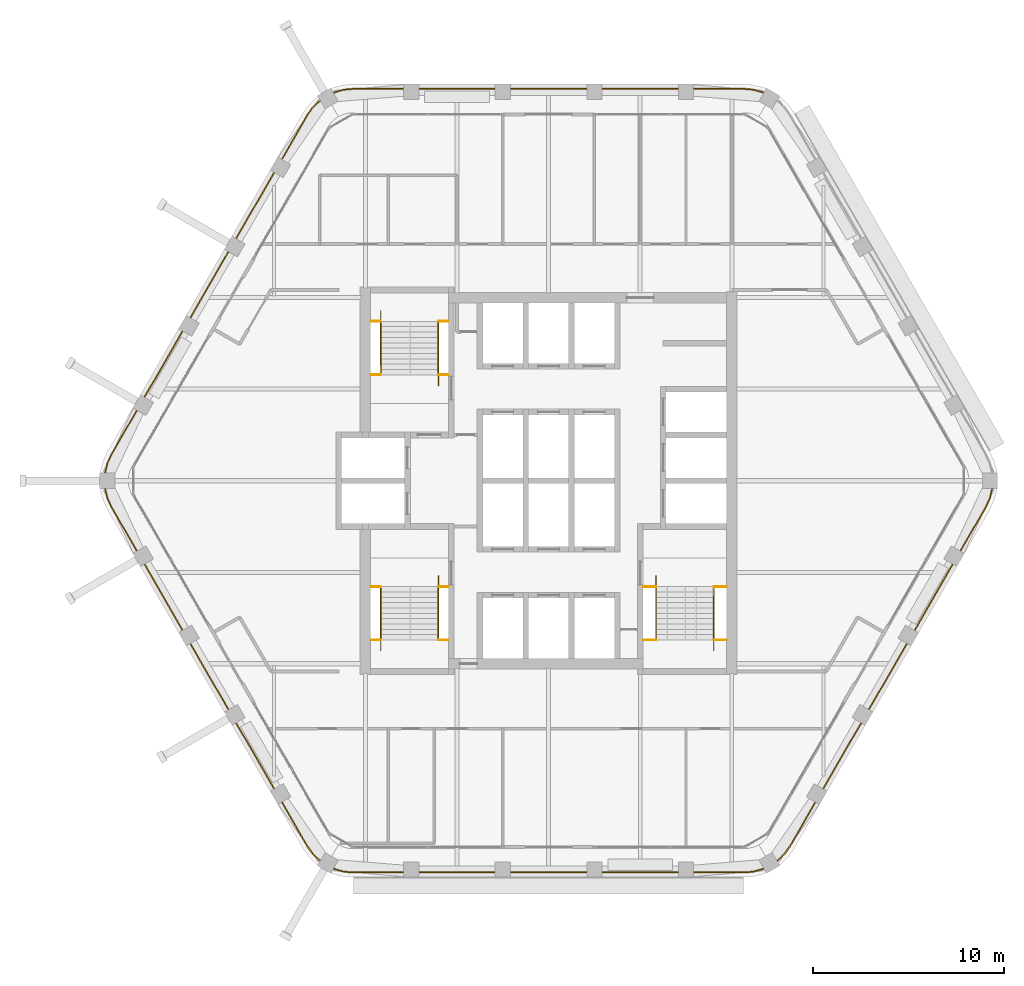
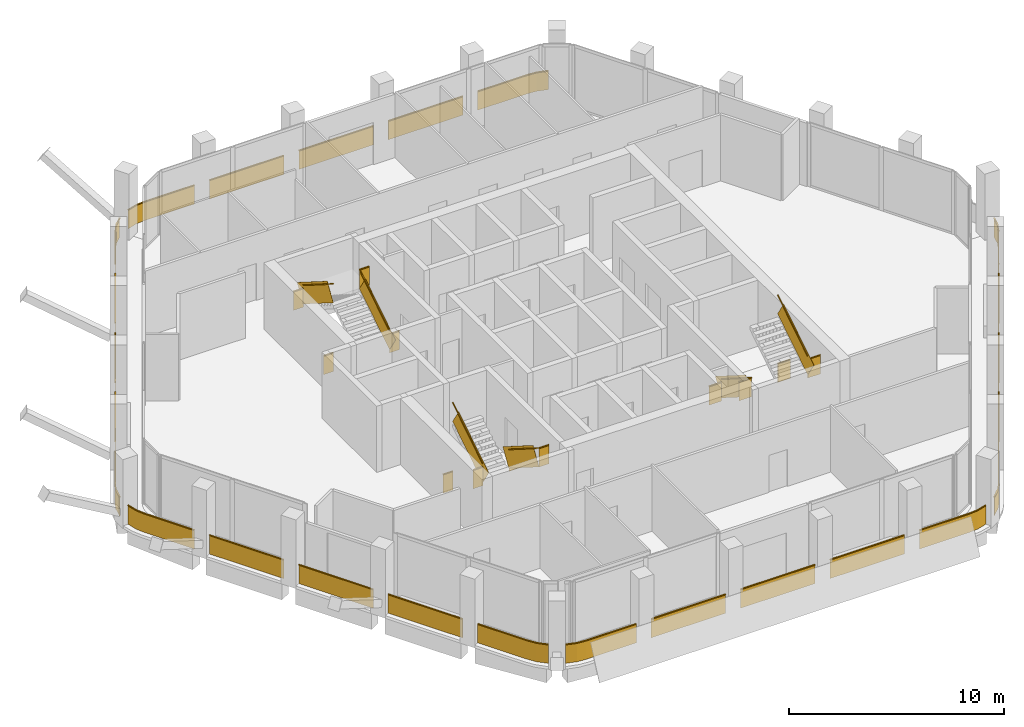
# One storey, part 13 of 14: 11 railings.
"""IFC4 building model written with IfcOpenShell, lengths in metres."""

from ifc_helpers import new_model, si_unit, direction, frame, frame_2d, origin, origin_2d, place, context, subcontext, project, spatial, rectangle, extrude, material, type_object, element, save


model = new_model("IFC4")

# Units and contexts
model_context = context("Model", 3, precision=1e-05, world=origin(), true_north=direction((0.0, 1.0)))
body_context = subcontext(model_context, "Body", "Model", "MODEL_VIEW")
ifc_project = project(units=[si_unit("LENGTHUNIT", "METRE"), si_unit("AREAUNIT", "SQUARE_METRE"), si_unit("VOLUMEUNIT", "CUBIC_METRE"), si_unit("PLANEANGLEUNIT", "RADIAN"), si_unit("MASSUNIT", "GRAM", prefix="KILO")], contexts=[model_context])

# Site, building, storey
site_placement = place(None, origin())
site = spatial("IfcSite", under=ifc_project, at=site_placement, CompositionType="ELEMENT")
building_placement = place(site_placement, origin())
building = spatial("IfcBuilding", under=site, at=building_placement, Name="Kolab Exchange Tower", CompositionType="ELEMENT")
storey_placement = place(building_placement, frame((0.0, 0.0, 234.5)))
storey = spatial("IfcBuildingStorey", under=building, at=storey_placement, Name="L51", CompositionType="ELEMENT", Elevation=234.5)

# Railings
ifc_material_1 = material(Name="Stainless steel 316", Category="steel")
railing_type_1 = type_object("IfcRailingType", Name="GUARD 1100", PredefinedType="GUARDRAIL", material=ifc_material_1)
railing_1_placement = place(storey_placement, frame((-9.324951171875, 5.550048828125, 0.0)))
element("IfcRailing", 1, at=railing_1_placement, inside=storey, type_object=railing_type_1, Name="Guard ST1", PredefinedType="GUARDRAIL", context=body_context, shape_type="SweptSolid", body=[
    extrude(rectangle(XDim=0.05, YDim=0.05, at=origin_2d()), frame((0.0, 0.0, 1.0751953125), z_axis=(1.0, 0.0, 0.0), x_axis=(0.0, 1.0, 0.0)), (0.0, 0.0, 1.0), 0.52734375),
    extrude(rectangle(XDim=0.012, YDim=1.05009765625, at=frame_2d((0.0, 0.525146484375))), frame((0.0, 0.0, 0.0), z_axis=(1.0, 0.0, 0.0), x_axis=(0.0, 1.0, 0.0)), (0.0, 0.0, 1.0), 0.52734375),
    extrude(rectangle(XDim=0.05, YDim=0.05, at=origin_2d()), frame((3.54736328125, 0.0, 1.0751953125), z_axis=(1.0, 0.0, 0.0), x_axis=(0.0, 1.0, 0.0)), (0.0, 0.0, 1.0), 0.527587890625),
    extrude(rectangle(XDim=0.012, YDim=1.05009765625, at=frame_2d((0.0, 0.525146484375))), frame((3.54736328125, 0.0, 0.0), z_axis=(1.0, 0.0, 0.0), x_axis=(0.0, 1.0, 0.0)), (0.0, 0.0, 1.0), 0.527587890625),
    extrude(rectangle(XDim=0.05, YDim=0.05, at=origin_2d()), frame((0.0, 2.800048828125, 3.025146484375), z_axis=(1.0, 0.0, 0.0), x_axis=(0.0, 1.0, 0.0)), (0.0, 0.0, 1.0), 0.52734375),
    extrude(rectangle(XDim=0.012, YDim=1.05009765625, at=frame_2d((0.0, 0.525146484375))), frame((0.0, 2.800048828125, 1.949951171875), z_axis=(1.0, 0.0, 0.0), x_axis=(0.0, 1.0, 0.0)), (0.0, 0.0, 1.0), 0.52734375),
    extrude(rectangle(XDim=0.05, YDim=0.05, at=origin_2d()), frame((3.54736328125, 2.800048828125, 3.025146484375), z_axis=(1.0, 0.0, 0.0), x_axis=(0.0, 1.0, 0.0)), (0.0, 0.0, 1.0), 0.527587890625),
    extrude(rectangle(XDim=0.012, YDim=1.05009765625, at=frame_2d((0.0, 0.525146484375))), frame((3.54736328125, 2.800048828125, 1.949951171875), z_axis=(1.0, 0.0, 0.0), x_axis=(0.0, 1.0, 0.0)), (0.0, 0.0, 1.0), 0.527587890625),
])
railing_2_placement = place(storey_placement, frame((-5.777587890625, 5.550048828125, 0.17724609375)))
element("IfcRailing", 2, at=railing_2_placement, inside=storey, type_object=railing_type_1, Name="Handrail guard ST1", PredefinedType="GUARDRAIL", context=body_context, shape_type="SweptSolid", body=[
    extrude(rectangle(XDim=0.05, YDim=0.05, at=origin_2d()), frame((0.0, 0.0, 1.0751953125), z_axis=(0.0, 0.844908973607, 0.534910110503), x_axis=(-1.0, 0.0, 0.0)), (0.0, 0.0, 1.0), 3.31396484375),
    extrude(rectangle(XDim=0.012, YDim=1.05009765625, at=frame_2d((0.0, 0.525146484375))), frame((0.0, 0.0, 0.0), z_axis=(0.0, 0.844908973607, 0.534910110503), x_axis=(-1.0, 0.0, 0.0)), (0.0, 0.0, 1.0), 3.31396484375),
    extrude(rectangle(XDim=0.05, YDim=0.05, at=origin_2d()), frame((-3.02001953125, 2.800048828125, 3.025146484375), z_axis=(0.0, -0.844908973607, 0.534910110503), x_axis=(1.0, 0.0, 0.0)), (0.0, 0.0, 1.0), 3.31396484375),
    extrude(rectangle(XDim=0.012, YDim=1.05009765625, at=frame_2d((0.0, 0.525146484375))), frame((-3.02001953125, 2.800048828125, 1.949951171875), z_axis=(0.0, -0.844908973607, 0.534910110503), x_axis=(1.0, 0.0, 0.0)), (0.0, 0.0, 1.0), 3.31396484375),
])
railing_3_placement = place(storey_placement, frame((-9.324951171875, -5.550048828125, 0.0)))
element("IfcRailing", 3, at=railing_3_placement, inside=storey, type_object=railing_type_1, Name="Guard ST3", PredefinedType="GUARDRAIL", context=body_context, shape_type="SweptSolid", body=[
    extrude(rectangle(XDim=0.05, YDim=0.05, at=origin_2d()), frame((0.0, 0.0, 1.0751953125), z_axis=(1.0, 0.0, 0.0), x_axis=(0.0, 1.0, 0.0)), (0.0, 0.0, 1.0), 0.52734375),
    extrude(rectangle(XDim=0.012, YDim=1.05009765625, at=frame_2d((0.0, 0.525146484375))), frame((0.0, 0.0, 0.0), z_axis=(1.0, 0.0, 0.0), x_axis=(0.0, 1.0, 0.0)), (0.0, 0.0, 1.0), 0.52734375),
    extrude(rectangle(XDim=0.05, YDim=0.05, at=origin_2d()), frame((3.54736328125, 0.0, 1.0751953125), z_axis=(1.0, 0.0, 0.0), x_axis=(0.0, 1.0, 0.0)), (0.0, 0.0, 1.0), 0.527587890625),
    extrude(rectangle(XDim=0.012, YDim=1.05009765625, at=frame_2d((0.0, 0.525146484375))), frame((3.54736328125, 0.0, 0.0), z_axis=(1.0, 0.0, 0.0), x_axis=(0.0, 1.0, 0.0)), (0.0, 0.0, 1.0), 0.527587890625),
    extrude(rectangle(XDim=0.05, YDim=0.05, at=origin_2d()), frame((0.0, -2.800048828125, 3.025146484375), z_axis=(1.0, 0.0, 0.0), x_axis=(0.0, 1.0, 0.0)), (0.0, 0.0, 1.0), 0.52734375),
    extrude(rectangle(XDim=0.012, YDim=1.05009765625, at=frame_2d((0.0, 0.525146484375))), frame((0.0, -2.800048828125, 1.949951171875), z_axis=(1.0, 0.0, 0.0), x_axis=(0.0, 1.0, 0.0)), (0.0, 0.0, 1.0), 0.52734375),
    extrude(rectangle(XDim=0.05, YDim=0.05, at=origin_2d()), frame((3.54736328125, -2.800048828125, 3.025146484375), z_axis=(1.0, 0.0, 0.0), x_axis=(0.0, 1.0, 0.0)), (0.0, 0.0, 1.0), 0.527587890625),
    extrude(rectangle(XDim=0.012, YDim=1.05009765625, at=frame_2d((0.0, 0.525146484375))), frame((3.54736328125, -2.800048828125, 1.949951171875), z_axis=(1.0, 0.0, 0.0), x_axis=(0.0, 1.0, 0.0)), (0.0, 0.0, 1.0), 0.527587890625),
])
railing_4_placement = place(storey_placement, frame((-5.777587890625, -5.550048828125, 0.17724609375)))
element("IfcRailing", 4, at=railing_4_placement, inside=storey, type_object=railing_type_1, Name="Handrail guard ST3", PredefinedType="GUARDRAIL", context=body_context, shape_type="SweptSolid", body=[
    extrude(rectangle(XDim=0.05, YDim=0.05, at=origin_2d()), frame((0.0, 0.0, 1.0751953125), z_axis=(0.0, -0.844908973607, 0.534910110503), x_axis=(1.0, 0.0, 0.0)), (0.0, 0.0, 1.0), 3.31396484375),
    extrude(rectangle(XDim=0.012, YDim=1.05009765625, at=frame_2d((0.0, 0.525146484375))), frame((0.0, 0.0, 0.0), z_axis=(0.0, -0.844908973607, 0.534910110503), x_axis=(1.0, 0.0, 0.0)), (0.0, 0.0, 1.0), 3.31396484375),
    extrude(rectangle(XDim=0.05, YDim=0.05, at=origin_2d()), frame((-3.02001953125, -2.800048828125, 3.025146484375), z_axis=(0.0, 0.844908973607, 0.534910110503), x_axis=(-1.0, 0.0, 0.0)), (0.0, 0.0, 1.0), 3.31396484375),
    extrude(rectangle(XDim=0.012, YDim=1.05009765625, at=frame_2d((0.0, 0.525146484375))), frame((-3.02001953125, -2.800048828125, 1.949951171875), z_axis=(0.0, 0.844908973607, 0.534910110503), x_axis=(-1.0, 0.0, 0.0)), (0.0, 0.0, 1.0), 3.31396484375),
])
railing_5_placement = place(storey_placement, frame((4.949951171875, -5.550048828125, 0.0)))
element("IfcRailing", 5, at=railing_5_placement, inside=storey, type_object=railing_type_1, Name="Guard ST2", PredefinedType="GUARDRAIL", context=body_context, shape_type="SweptSolid", body=[
    extrude(rectangle(XDim=0.05, YDim=0.05, at=origin_2d()), frame((0.0, 0.0, 1.0751953125), z_axis=(1.0, 0.0, 0.0), x_axis=(0.0, 1.0, 0.0)), (0.0, 0.0, 1.0), 0.677490234375),
    extrude(rectangle(XDim=0.012, YDim=1.05009765625, at=frame_2d((0.0, 0.525146484375))), frame((0.0, 0.0, 0.0), z_axis=(1.0, 0.0, 0.0), x_axis=(0.0, 1.0, 0.0)), (0.0, 0.0, 1.0), 0.677490234375),
    extrude(rectangle(XDim=0.05, YDim=0.05, at=origin_2d()), frame((3.697509765625, 0.0, 1.0751953125), z_axis=(1.0, 0.0, 0.0), x_axis=(0.0, 1.0, 0.0)), (0.0, 0.0, 1.0), 0.677490234375),
    extrude(rectangle(XDim=0.012, YDim=1.05009765625, at=frame_2d((0.0, 0.525146484375))), frame((3.697509765625, 0.0, 0.0), z_axis=(1.0, 0.0, 0.0), x_axis=(0.0, 1.0, 0.0)), (0.0, 0.0, 1.0), 0.677490234375),
    extrude(rectangle(XDim=0.05, YDim=0.05, at=origin_2d()), frame((0.0, -2.800048828125, 3.025146484375), z_axis=(1.0, 0.0, 0.0), x_axis=(0.0, 1.0, 0.0)), (0.0, 0.0, 1.0), 0.677490234375),
    extrude(rectangle(XDim=0.012, YDim=1.05009765625, at=frame_2d((0.0, 0.525146484375))), frame((0.0, -2.800048828125, 1.949951171875), z_axis=(1.0, 0.0, 0.0), x_axis=(0.0, 1.0, 0.0)), (0.0, 0.0, 1.0), 0.677490234375),
    extrude(rectangle(XDim=0.05, YDim=0.05, at=origin_2d()), frame((3.697509765625, -2.800048828125, 3.025146484375), z_axis=(1.0, 0.0, 0.0), x_axis=(0.0, 1.0, 0.0)), (0.0, 0.0, 1.0), 0.677490234375),
    extrude(rectangle(XDim=0.012, YDim=1.05009765625, at=frame_2d((0.0, 0.525146484375))), frame((3.697509765625, -2.800048828125, 1.949951171875), z_axis=(1.0, 0.0, 0.0), x_axis=(0.0, 1.0, 0.0)), (0.0, 0.0, 1.0), 0.677490234375),
])
railing_6_placement = place(storey_placement, frame((5.62744140625, -5.550048828125, 0.17724609375)))
element("IfcRailing", 6, at=railing_6_placement, inside=storey, type_object=railing_type_1, Name="Handrail guard ST2", PredefinedType="GUARDRAIL", context=body_context, shape_type="SweptSolid", body=[
    extrude(rectangle(XDim=0.05, YDim=0.05, at=origin_2d()), frame((0.0, 0.0, 1.0751953125), z_axis=(0.0, -0.844908973607, 0.534910110503), x_axis=(1.0, 0.0, 0.0)), (0.0, 0.0, 1.0), 3.31396484375),
    extrude(rectangle(XDim=0.012, YDim=1.05009765625, at=frame_2d((0.0, 0.525146484375))), frame((0.0, 0.0, 0.0), z_axis=(0.0, -0.844908973607, 0.534910110503), x_axis=(1.0, 0.0, 0.0)), (0.0, 0.0, 1.0), 3.31396484375),
    extrude(rectangle(XDim=0.05, YDim=0.05, at=origin_2d()), frame((3.02001953125, -2.800048828125, 3.025146484375), z_axis=(0.0, 0.844908973607, 0.534910110503), x_axis=(-1.0, 0.0, 0.0)), (0.0, 0.0, 1.0), 3.31396484375),
    extrude(rectangle(XDim=0.012, YDim=1.05009765625, at=frame_2d((0.0, 0.525146484375))), frame((3.02001953125, -2.800048828125, 1.949951171875), z_axis=(0.0, 0.844908973607, 0.534910110503), x_axis=(-1.0, 0.0, 0.0)), (0.0, 0.0, 1.0), 3.31396484375),
])
ifc_material_2 = material(Name="Steel S235", Category="steel")
railing_type_2 = type_object("IfcRailingType", Name="GUARD 1100 GLASS BALUSTRADE AND STEEL TOP RAIL", PredefinedType="GUARDRAIL", material=ifc_material_2)
railing_7_placement = place(storey_placement, frame((11.280517578125, 20.335205078125, 0.0)))
element("IfcRailing", 7, at=railing_7_placement, inside=storey, type_object=railing_type_2, Name="Guard", PredefinedType="GUARDRAIL", context=body_context, shape_type="SweptSolid", body=[
    extrude(rectangle(XDim=0.05, YDim=0.05, at=origin_2d()), frame((0.0, 0.0, 1.0751953125), z_axis=(-0.959212061764, 0.282687496304, 0.0), x_axis=(-0.282687496304, -0.959212061764, 0.0)), (0.0, 0.0, 1.0), 0.557861328125),
    extrude(rectangle(XDim=0.012, YDim=1.05009765625, at=frame_2d((0.0, 0.525146484375))), frame((0.0, 0.0, 0.0), z_axis=(-0.959212061764, 0.282687496304, 0.0), x_axis=(-0.282687496304, -0.959212061764, 0.0)), (0.0, 0.0, 1.0), 0.557861328125),
    extrude(rectangle(XDim=0.05, YDim=0.05, at=origin_2d()), frame((-0.53515625, 0.15771484375, 1.0751953125), z_axis=(-0.996196482496, 0.087135344505, 0.0), x_axis=(-0.087135344505, -0.996196482496, 0.0)), (0.0, 0.0, 1.0), 0.47900390625),
    extrude(rectangle(XDim=0.012, YDim=1.05009765625, at=frame_2d((0.0, 0.525146484375))), frame((-0.53515625, 0.15771484375, 0.0), z_axis=(-0.996196482496, 0.087135344505, 0.0), x_axis=(-0.087135344505, -0.996196482496, 0.0)), (0.0, 0.0, 1.0), 0.47900390625),
    extrude(rectangle(XDim=0.05, YDim=0.05, at=origin_2d()), frame((-1.012451171875, 0.199462890625, 1.0751953125), z_axis=(-1.0, 0.0, 0.0), x_axis=(0.0, -1.0, 0.0)), (0.0, 0.0, 1.0), 2.66796875),
    extrude(rectangle(XDim=0.012, YDim=1.05009765625, at=frame_2d((0.0, 0.525146484375))), frame((-1.012451171875, 0.199462890625, 0.0), z_axis=(-1.0, 0.0, 0.0), x_axis=(0.0, -1.0, 0.0)), (0.0, 0.0, 1.0), 2.66796875),
    extrude(rectangle(XDim=0.05, YDim=0.05, at=origin_2d()), frame((-4.48046875, 0.199462890625, 1.0751953125), z_axis=(-1.0, 0.0, 0.0), x_axis=(0.0, -1.0, 0.0)), (0.0, 0.0, 1.0), 4.0),
    extrude(rectangle(XDim=0.012, YDim=1.05009765625, at=frame_2d((0.0, 0.525146484375))), frame((-4.48046875, 0.199462890625, 0.0), z_axis=(-1.0, 0.0, 0.0), x_axis=(0.0, -1.0, 0.0)), (0.0, 0.0, 1.0), 4.0),
    extrude(rectangle(XDim=0.05, YDim=0.05, at=origin_2d()), frame((-9.280517578125, 0.199462890625, 1.0751953125), z_axis=(-1.0, 0.0, 0.0), x_axis=(0.0, -1.0, 0.0)), (0.0, 0.0, 1.0), 4.0),
    extrude(rectangle(XDim=0.012, YDim=1.05009765625, at=frame_2d((0.0, 0.525146484375))), frame((-9.280517578125, 0.199462890625, 0.0), z_axis=(-1.0, 0.0, 0.0), x_axis=(0.0, -1.0, 0.0)), (0.0, 0.0, 1.0), 4.0),
    extrude(rectangle(XDim=0.05, YDim=0.05, at=origin_2d()), frame((-14.08056640625, 0.199462890625, 1.0751953125), z_axis=(-1.0, 0.0, 0.0), x_axis=(0.0, -1.0, 0.0)), (0.0, 0.0, 1.0), 4.0),
    extrude(rectangle(XDim=0.012, YDim=1.05009765625, at=frame_2d((0.0, 0.525146484375))), frame((-14.08056640625, 0.199462890625, 0.0), z_axis=(-1.0, 0.0, 0.0), x_axis=(0.0, -1.0, 0.0)), (0.0, 0.0, 1.0), 4.0),
    extrude(rectangle(XDim=0.05, YDim=0.05, at=origin_2d()), frame((-18.880615234375, 0.199462890625, 1.0751953125), z_axis=(-1.0, 0.0, 0.0), x_axis=(0.0, -1.0, 0.0)), (0.0, 0.0, 1.0), 2.66796875),
    extrude(rectangle(XDim=0.012, YDim=1.05009765625, at=frame_2d((0.0, 0.525146484375))), frame((-18.880615234375, 0.199462890625, 0.0), z_axis=(-1.0, 0.0, 0.0), x_axis=(0.0, -1.0, 0.0)), (0.0, 0.0, 1.0), 2.66796875),
    extrude(rectangle(XDim=0.05, YDim=0.05, at=origin_2d()), frame((-21.548583984375, 0.199462890625, 1.0751953125), z_axis=(-0.996196482496, -0.087135344505, 0.0), x_axis=(0.087135344505, -0.996196482496, 0.0)), (0.0, 0.0, 1.0), 0.47900390625),
    extrude(rectangle(XDim=0.012, YDim=1.05009765625, at=frame_2d((0.0, 0.525146484375))), frame((-21.548583984375, 0.199462890625, 0.0), z_axis=(-0.996196482496, -0.087135344505, 0.0), x_axis=(0.087135344505, -0.996196482496, 0.0)), (0.0, 0.0, 1.0), 0.47900390625),
    extrude(rectangle(XDim=0.05, YDim=0.05, at=origin_2d()), frame((-22.02587890625, 0.15771484375, 1.0751953125), z_axis=(-0.959212061764, -0.282687496304, 0.0), x_axis=(0.282687496304, -0.959212061764, 0.0)), (0.0, 0.0, 1.0), 0.557861328125),
    extrude(rectangle(XDim=0.012, YDim=1.05009765625, at=frame_2d((0.0, 0.525146484375))), frame((-22.02587890625, 0.15771484375, 0.0), z_axis=(-0.959212061764, -0.282687496304, 0.0), x_axis=(0.282687496304, -0.959212061764, 0.0)), (0.0, 0.0, 1.0), 0.557861328125),
])
railing_8_placement = place(storey_placement, frame((11.970703125, -19.936767578125, 0.0)))
element("IfcRailing", 8, at=railing_8_placement, inside=storey, type_object=railing_type_2, Name="Guard", PredefinedType="GUARDRAIL", context=body_context, shape_type="SweptSolid", body=[
    extrude(rectangle(XDim=0.05, YDim=0.05, at=origin_2d()), frame((0.0, 0.0, 1.0751953125), z_axis=(0.724189990991, 0.689600505327, 0.0), x_axis=(-0.689600505327, 0.724189990991, 0.0)), (0.0, 0.0, 1.0), 0.5576171875),
    extrude(rectangle(XDim=0.012, YDim=1.05009765625, at=frame_2d((0.0, 0.525146484375))), frame((0.0, 0.0, 0.0), z_axis=(0.724189990991, 0.689600505327, 0.0), x_axis=(-0.689600505327, 0.724189990991, 0.0)), (0.0, 0.0, 1.0), 0.5576171875),
    extrude(rectangle(XDim=0.05, YDim=0.05, at=origin_2d()), frame((0.40380859375, 0.384521484375, 1.0751953125), z_axis=(0.573599091554, 0.819136180478, 0.0), x_axis=(-0.819136180478, 0.573599091554, 0.0)), (0.0, 0.0, 1.0), 0.479248046875),
    extrude(rectangle(XDim=0.012, YDim=1.05009765625, at=frame_2d((0.0, 0.525146484375))), frame((0.40380859375, 0.384521484375, 0.0), z_axis=(0.573599091554, 0.819136180478, 0.0), x_axis=(-0.819136180478, 0.573599091554, 0.0)), (0.0, 0.0, 1.0), 0.479248046875),
    extrude(rectangle(XDim=0.05, YDim=0.05, at=origin_2d()), frame((0.6787109375, 0.777099609375, 1.0751953125), z_axis=(0.499997052475, 0.866027105532, 0.0), x_axis=(-0.866027105532, 0.499997052475, 0.0)), (0.0, 0.0, 1.0), 2.66796875),
    extrude(rectangle(XDim=0.012, YDim=1.05009765625, at=frame_2d((0.0, 0.525146484375))), frame((0.6787109375, 0.777099609375, 0.0), z_axis=(0.499997052475, 0.866027105532, 0.0), x_axis=(-0.866027105532, 0.499997052475, 0.0)), (0.0, 0.0, 1.0), 2.66796875),
    extrude(rectangle(XDim=0.05, YDim=0.05, at=origin_2d()), frame((2.412841796875, 3.780517578125, 1.0751953125), z_axis=(0.49999894854, 0.866026010844, 0.0), x_axis=(-0.866026010844, 0.49999894854, 0.0)), (0.0, 0.0, 1.0), 4.0),
    extrude(rectangle(XDim=0.012, YDim=1.05009765625, at=frame_2d((0.0, 0.525146484375))), frame((2.412841796875, 3.780517578125, 0.0), z_axis=(0.49999894854, 0.866026010844, 0.0), x_axis=(-0.866026010844, 0.49999894854, 0.0)), (0.0, 0.0, 1.0), 4.0),
    extrude(rectangle(XDim=0.05, YDim=0.05, at=origin_2d()), frame((4.812744140625, 7.9375, 1.0751953125), z_axis=(0.49999894854, 0.866026010844, 0.0), x_axis=(-0.866026010844, 0.49999894854, 0.0)), (0.0, 0.0, 1.0), 4.0),
    extrude(rectangle(XDim=0.012, YDim=1.05009765625, at=frame_2d((0.0, 0.525146484375))), frame((4.812744140625, 7.9375, 0.0), z_axis=(0.49999894854, 0.866026010844, 0.0), x_axis=(-0.866026010844, 0.49999894854, 0.0)), (0.0, 0.0, 1.0), 4.0),
    extrude(rectangle(XDim=0.05, YDim=0.05, at=origin_2d()), frame((7.212890625, 12.09423828125, 1.0751953125), z_axis=(0.49999894854, 0.866026010844, 0.0), x_axis=(-0.866026010844, 0.49999894854, 0.0)), (0.0, 0.0, 1.0), 4.0),
    extrude(rectangle(XDim=0.012, YDim=1.05009765625, at=frame_2d((0.0, 0.525146484375))), frame((7.212890625, 12.09423828125, 0.0), z_axis=(0.49999894854, 0.866026010844, 0.0), x_axis=(-0.866026010844, 0.49999894854, 0.0)), (0.0, 0.0, 1.0), 4.0),
    extrude(rectangle(XDim=0.05, YDim=0.05, at=origin_2d()), frame((9.61279296875, 16.251220703125, 1.0751953125), z_axis=(0.499997052475, 0.866027105532, 0.0), x_axis=(-0.866027105532, 0.499997052475, 0.0)), (0.0, 0.0, 1.0), 2.66796875),
    extrude(rectangle(XDim=0.012, YDim=1.05009765625, at=frame_2d((0.0, 0.525146484375))), frame((9.61279296875, 16.251220703125, 0.0), z_axis=(0.499997052475, 0.866027105532, 0.0), x_axis=(-0.866027105532, 0.499997052475, 0.0)), (0.0, 0.0, 1.0), 2.66796875),
    extrude(rectangle(XDim=0.05, YDim=0.05, at=origin_2d()), frame((10.94677734375, 18.561767578125, 1.0751953125), z_axis=(0.422801802984, 0.906222177721, 0.0), x_axis=(-0.906222177721, 0.422801802984, 0.0)), (0.0, 0.0, 1.0), 0.479248046875),
    extrude(rectangle(XDim=0.012, YDim=1.05009765625, at=frame_2d((0.0, 0.525146484375))), frame((10.94677734375, 18.561767578125, 0.0), z_axis=(0.422801802984, 0.906222177721, 0.0), x_axis=(-0.906222177721, 0.422801802984, 0.0)), (0.0, 0.0, 1.0), 0.479248046875),
    extrude(rectangle(XDim=0.05, YDim=0.05, at=origin_2d()), frame((11.1494140625, 18.99609375, 1.0751953125), z_axis=(0.234597748196, 0.972092534968, 0.0), x_axis=(-0.972092534968, 0.234597748196, 0.0)), (0.0, 0.0, 1.0), 0.557861328125),
    extrude(rectangle(XDim=0.012, YDim=1.05009765625, at=frame_2d((0.0, 0.525146484375))), frame((11.1494140625, 18.99609375, 0.0), z_axis=(0.234597748196, 0.972092534968, 0.0), x_axis=(-0.972092534968, 0.234597748196, 0.0)), (0.0, 0.0, 1.0), 0.557861328125),
])
railing_9_placement = place(storey_placement, frame((-11.280517578125, -20.335205078125, 0.0)))
element("IfcRailing", 9, at=railing_9_placement, inside=storey, type_object=railing_type_2, Name="Guard", PredefinedType="GUARDRAIL", context=body_context, shape_type="SweptSolid", body=[
    extrude(rectangle(XDim=0.05, YDim=0.05, at=origin_2d()), frame((0.0, 0.0, 1.0751953125), z_axis=(0.959212061764, -0.282687496304, 0.0), x_axis=(0.282687496304, 0.959212061764, 0.0)), (0.0, 0.0, 1.0), 0.557861328125),
    extrude(rectangle(XDim=0.012, YDim=1.05009765625, at=frame_2d((0.0, 0.525146484375))), frame((0.0, 0.0, 0.0), z_axis=(0.959212061764, -0.282687496304, 0.0), x_axis=(0.282687496304, 0.959212061764, 0.0)), (0.0, 0.0, 1.0), 0.557861328125),
    extrude(rectangle(XDim=0.05, YDim=0.05, at=origin_2d()), frame((0.53515625, -0.15771484375, 1.0751953125), z_axis=(0.996196482496, -0.087135344505, 0.0), x_axis=(0.087135344505, 0.996196482496, 0.0)), (0.0, 0.0, 1.0), 0.47900390625),
    extrude(rectangle(XDim=0.012, YDim=1.05009765625, at=frame_2d((0.0, 0.525146484375))), frame((0.53515625, -0.15771484375, 0.0), z_axis=(0.996196482496, -0.087135344505, 0.0), x_axis=(0.087135344505, 0.996196482496, 0.0)), (0.0, 0.0, 1.0), 0.47900390625),
    extrude(rectangle(XDim=0.05, YDim=0.05, at=origin_2d()), frame((1.012451171875, -0.199462890625, 1.0751953125), z_axis=(1.0, 0.0, 0.0), x_axis=(0.0, 1.0, 0.0)), (0.0, 0.0, 1.0), 2.66796875),
    extrude(rectangle(XDim=0.012, YDim=1.05009765625, at=frame_2d((0.0, 0.525146484375))), frame((1.012451171875, -0.199462890625, 0.0), z_axis=(1.0, 0.0, 0.0), x_axis=(0.0, 1.0, 0.0)), (0.0, 0.0, 1.0), 2.66796875),
    extrude(rectangle(XDim=0.05, YDim=0.05, at=origin_2d()), frame((4.48046875, -0.199462890625, 1.0751953125), z_axis=(1.0, 0.0, 0.0), x_axis=(0.0, 1.0, 0.0)), (0.0, 0.0, 1.0), 4.0),
    extrude(rectangle(XDim=0.012, YDim=1.05009765625, at=frame_2d((0.0, 0.525146484375))), frame((4.48046875, -0.199462890625, 0.0), z_axis=(1.0, 0.0, 0.0), x_axis=(0.0, 1.0, 0.0)), (0.0, 0.0, 1.0), 4.0),
    extrude(rectangle(XDim=0.05, YDim=0.05, at=origin_2d()), frame((9.280517578125, -0.199462890625, 1.0751953125), z_axis=(1.0, 0.0, 0.0), x_axis=(0.0, 1.0, 0.0)), (0.0, 0.0, 1.0), 4.0),
    extrude(rectangle(XDim=0.012, YDim=1.05009765625, at=frame_2d((0.0, 0.525146484375))), frame((9.280517578125, -0.199462890625, 0.0), z_axis=(1.0, 0.0, 0.0), x_axis=(0.0, 1.0, 0.0)), (0.0, 0.0, 1.0), 4.0),
    extrude(rectangle(XDim=0.05, YDim=0.05, at=origin_2d()), frame((14.08056640625, -0.199462890625, 1.0751953125), z_axis=(1.0, 0.0, 0.0), x_axis=(0.0, 1.0, 0.0)), (0.0, 0.0, 1.0), 4.0),
    extrude(rectangle(XDim=0.012, YDim=1.05009765625, at=frame_2d((0.0, 0.525146484375))), frame((14.08056640625, -0.199462890625, 0.0), z_axis=(1.0, 0.0, 0.0), x_axis=(0.0, 1.0, 0.0)), (0.0, 0.0, 1.0), 4.0),
    extrude(rectangle(XDim=0.05, YDim=0.05, at=origin_2d()), frame((18.880615234375, -0.199462890625, 1.0751953125), z_axis=(1.0, 0.0, 0.0), x_axis=(0.0, 1.0, 0.0)), (0.0, 0.0, 1.0), 2.66796875),
    extrude(rectangle(XDim=0.012, YDim=1.05009765625, at=frame_2d((0.0, 0.525146484375))), frame((18.880615234375, -0.199462890625, 0.0), z_axis=(1.0, 0.0, 0.0), x_axis=(0.0, 1.0, 0.0)), (0.0, 0.0, 1.0), 2.66796875),
    extrude(rectangle(XDim=0.05, YDim=0.05, at=origin_2d()), frame((21.548583984375, -0.199462890625, 1.0751953125), z_axis=(0.996196482496, 0.087135344505, 0.0), x_axis=(-0.087135344505, 0.996196482496, 0.0)), (0.0, 0.0, 1.0), 0.47900390625),
    extrude(rectangle(XDim=0.012, YDim=1.05009765625, at=frame_2d((0.0, 0.525146484375))), frame((21.548583984375, -0.199462890625, 0.0), z_axis=(0.996196482496, 0.087135344505, 0.0), x_axis=(-0.087135344505, 0.996196482496, 0.0)), (0.0, 0.0, 1.0), 0.47900390625),
    extrude(rectangle(XDim=0.05, YDim=0.05, at=origin_2d()), frame((22.02587890625, -0.15771484375, 1.0751953125), z_axis=(0.959212061764, 0.282687496304, 0.0), x_axis=(-0.282687496304, 0.959212061764, 0.0)), (0.0, 0.0, 1.0), 0.557861328125),
    extrude(rectangle(XDim=0.012, YDim=1.05009765625, at=frame_2d((0.0, 0.525146484375))), frame((22.02587890625, -0.15771484375, 0.0), z_axis=(0.959212061764, 0.282687496304, 0.0), x_axis=(-0.282687496304, 0.959212061764, 0.0)), (0.0, 0.0, 1.0), 0.557861328125),
])
railing_10_placement = place(storey_placement, frame((-23.2509765625, -0.3984375, 0.0)))
element("IfcRailing", 10, at=railing_10_placement, inside=storey, type_object=railing_type_2, Name="Guard", PredefinedType="GUARDRAIL", context=body_context, shape_type="SweptSolid", body=[
    extrude(rectangle(XDim=0.05, YDim=0.05, at=origin_2d()), frame((0.0, 0.0, 1.0751953125), z_axis=(0.234597748196, -0.972092534968, 0.0), x_axis=(0.972092534968, 0.234597748196, 0.0)), (0.0, 0.0, 1.0), 0.557861328125),
    extrude(rectangle(XDim=0.012, YDim=1.05009765625, at=frame_2d((0.0, 0.525146484375))), frame((0.0, 0.0, 0.0), z_axis=(0.234597748196, -0.972092534968, 0.0), x_axis=(0.972092534968, 0.234597748196, 0.0)), (0.0, 0.0, 1.0), 0.557861328125),
    extrude(rectangle(XDim=0.05, YDim=0.05, at=origin_2d()), frame((0.130859375, -0.542236328125, 1.0751953125), z_axis=(0.422801802984, -0.906222177721, 0.0), x_axis=(0.906222177721, 0.422801802984, 0.0)), (0.0, 0.0, 1.0), 0.479248046875),
    extrude(rectangle(XDim=0.012, YDim=1.05009765625, at=frame_2d((0.0, 0.525146484375))), frame((0.130859375, -0.542236328125, 0.0), z_axis=(0.422801802984, -0.906222177721, 0.0), x_axis=(0.906222177721, 0.422801802984, 0.0)), (0.0, 0.0, 1.0), 0.479248046875),
    extrude(rectangle(XDim=0.05, YDim=0.05, at=origin_2d()), frame((0.33349609375, -0.9765625, 1.0751953125), z_axis=(0.499997052475, -0.866027105532, 0.0), x_axis=(0.866027105532, 0.499997052475, 0.0)), (0.0, 0.0, 1.0), 2.66796875),
    extrude(rectangle(XDim=0.012, YDim=1.05009765625, at=frame_2d((0.0, 0.525146484375))), frame((0.33349609375, -0.9765625, 0.0), z_axis=(0.499997052475, -0.866027105532, 0.0), x_axis=(0.866027105532, 0.499997052475, 0.0)), (0.0, 0.0, 1.0), 2.66796875),
    extrude(rectangle(XDim=0.05, YDim=0.05, at=origin_2d()), frame((2.0673828125, -3.97998046875, 1.0751953125), z_axis=(0.49999894854, -0.866026010844, 0.0), x_axis=(0.866026010844, 0.49999894854, 0.0)), (0.0, 0.0, 1.0), 4.0),
    extrude(rectangle(XDim=0.012, YDim=1.05009765625, at=frame_2d((0.0, 0.525146484375))), frame((2.0673828125, -3.97998046875, 0.0), z_axis=(0.49999894854, -0.866026010844, 0.0), x_axis=(0.866026010844, 0.49999894854, 0.0)), (0.0, 0.0, 1.0), 4.0),
    extrude(rectangle(XDim=0.05, YDim=0.05, at=origin_2d()), frame((4.467529296875, -8.13671875, 1.0751953125), z_axis=(0.49999894854, -0.866026010844, 0.0), x_axis=(0.866026010844, 0.49999894854, 0.0)), (0.0, 0.0, 1.0), 4.0),
    extrude(rectangle(XDim=0.012, YDim=1.05009765625, at=frame_2d((0.0, 0.525146484375))), frame((4.467529296875, -8.13671875, 0.0), z_axis=(0.49999894854, -0.866026010844, 0.0), x_axis=(0.866026010844, 0.49999894854, 0.0)), (0.0, 0.0, 1.0), 4.0),
    extrude(rectangle(XDim=0.05, YDim=0.05, at=origin_2d()), frame((6.867431640625, -12.293701171875, 1.0751953125), z_axis=(0.49999894854, -0.866026010844, 0.0), x_axis=(0.866026010844, 0.49999894854, 0.0)), (0.0, 0.0, 1.0), 4.0),
    extrude(rectangle(XDim=0.012, YDim=1.05009765625, at=frame_2d((0.0, 0.525146484375))), frame((6.867431640625, -12.293701171875, 0.0), z_axis=(0.49999894854, -0.866026010844, 0.0), x_axis=(0.866026010844, 0.49999894854, 0.0)), (0.0, 0.0, 1.0), 4.0),
    extrude(rectangle(XDim=0.05, YDim=0.05, at=origin_2d()), frame((9.267578125, -16.45068359375, 1.0751953125), z_axis=(0.499997052475, -0.866027105532, 0.0), x_axis=(0.866027105532, 0.499997052475, 0.0)), (0.0, 0.0, 1.0), 2.66796875),
    extrude(rectangle(XDim=0.012, YDim=1.05009765625, at=frame_2d((0.0, 0.525146484375))), frame((9.267578125, -16.45068359375, 0.0), z_axis=(0.499997052475, -0.866027105532, 0.0), x_axis=(0.866027105532, 0.499997052475, 0.0)), (0.0, 0.0, 1.0), 2.66796875),
    extrude(rectangle(XDim=0.05, YDim=0.05, at=origin_2d()), frame((10.6015625, -18.76123046875, 1.0751953125), z_axis=(0.573599091554, -0.819136180478, 0.0), x_axis=(0.819136180478, 0.573599091554, 0.0)), (0.0, 0.0, 1.0), 0.479248046875),
    extrude(rectangle(XDim=0.012, YDim=1.05009765625, at=frame_2d((0.0, 0.525146484375))), frame((10.6015625, -18.76123046875, 0.0), z_axis=(0.573599091554, -0.819136180478, 0.0), x_axis=(0.819136180478, 0.573599091554, 0.0)), (0.0, 0.0, 1.0), 0.479248046875),
    extrude(rectangle(XDim=0.05, YDim=0.05, at=origin_2d()), frame((10.87646484375, -19.15380859375, 1.0751953125), z_axis=(0.724189990991, -0.689600505327, 0.0), x_axis=(0.689600505327, 0.724189990991, 0.0)), (0.0, 0.0, 1.0), 0.5576171875),
    extrude(rectangle(XDim=0.012, YDim=1.05009765625, at=frame_2d((0.0, 0.525146484375))), frame((10.87646484375, -19.15380859375, 0.0), z_axis=(0.724189990991, -0.689600505327, 0.0), x_axis=(0.689600505327, 0.724189990991, 0.0)), (0.0, 0.0, 1.0), 0.5576171875),
])
railing_11_placement = place(storey_placement, frame((-11.970703125, 19.936767578125, 0.0)))
element("IfcRailing", 11, at=railing_11_placement, inside=storey, type_object=railing_type_2, Name="Guard", PredefinedType="GUARDRAIL", context=body_context, shape_type="SweptSolid", body=[
    extrude(rectangle(XDim=0.05, YDim=0.05, at=origin_2d()), frame((0.0, 0.0, 1.0751953125), z_axis=(-0.724189990991, -0.689600505327, 0.0), x_axis=(0.689600505327, -0.724189990991, 0.0)), (0.0, 0.0, 1.0), 0.5576171875),
    extrude(rectangle(XDim=0.012, YDim=1.05009765625, at=frame_2d((0.0, 0.525146484375))), frame((0.0, 0.0, 0.0), z_axis=(-0.724189990991, -0.689600505327, 0.0), x_axis=(0.689600505327, -0.724189990991, 0.0)), (0.0, 0.0, 1.0), 0.5576171875),
    extrude(rectangle(XDim=0.05, YDim=0.05, at=origin_2d()), frame((-0.40380859375, -0.384521484375, 1.0751953125), z_axis=(-0.573599091554, -0.819136180478, 0.0), x_axis=(0.819136180478, -0.573599091554, 0.0)), (0.0, 0.0, 1.0), 0.479248046875),
    extrude(rectangle(XDim=0.012, YDim=1.05009765625, at=frame_2d((0.0, 0.525146484375))), frame((-0.40380859375, -0.384521484375, 0.0), z_axis=(-0.573599091554, -0.819136180478, 0.0), x_axis=(0.819136180478, -0.573599091554, 0.0)), (0.0, 0.0, 1.0), 0.479248046875),
    extrude(rectangle(XDim=0.05, YDim=0.05, at=origin_2d()), frame((-0.6787109375, -0.777099609375, 1.0751953125), z_axis=(-0.499997052475, -0.866027105532, 0.0), x_axis=(0.866027105532, -0.499997052475, 0.0)), (0.0, 0.0, 1.0), 2.66796875),
    extrude(rectangle(XDim=0.012, YDim=1.05009765625, at=frame_2d((0.0, 0.525146484375))), frame((-0.6787109375, -0.777099609375, 0.0), z_axis=(-0.499997052475, -0.866027105532, 0.0), x_axis=(0.866027105532, -0.499997052475, 0.0)), (0.0, 0.0, 1.0), 2.66796875),
    extrude(rectangle(XDim=0.05, YDim=0.05, at=origin_2d()), frame((-2.412841796875, -3.780517578125, 1.0751953125), z_axis=(-0.49999894854, -0.866026010844, 0.0), x_axis=(0.866026010844, -0.49999894854, 0.0)), (0.0, 0.0, 1.0), 4.0),
    extrude(rectangle(XDim=0.012, YDim=1.05009765625, at=frame_2d((0.0, 0.525146484375))), frame((-2.412841796875, -3.780517578125, 0.0), z_axis=(-0.49999894854, -0.866026010844, 0.0), x_axis=(0.866026010844, -0.49999894854, 0.0)), (0.0, 0.0, 1.0), 4.0),
    extrude(rectangle(XDim=0.05, YDim=0.05, at=origin_2d()), frame((-4.812744140625, -7.9375, 1.0751953125), z_axis=(-0.49999894854, -0.866026010844, 0.0), x_axis=(0.866026010844, -0.49999894854, 0.0)), (0.0, 0.0, 1.0), 4.0),
    extrude(rectangle(XDim=0.012, YDim=1.05009765625, at=frame_2d((0.0, 0.525146484375))), frame((-4.812744140625, -7.9375, 0.0), z_axis=(-0.49999894854, -0.866026010844, 0.0), x_axis=(0.866026010844, -0.49999894854, 0.0)), (0.0, 0.0, 1.0), 4.0),
    extrude(rectangle(XDim=0.05, YDim=0.05, at=origin_2d()), frame((-7.212890625, -12.09423828125, 1.0751953125), z_axis=(-0.49999894854, -0.866026010844, 0.0), x_axis=(0.866026010844, -0.49999894854, 0.0)), (0.0, 0.0, 1.0), 4.0),
    extrude(rectangle(XDim=0.012, YDim=1.05009765625, at=frame_2d((0.0, 0.525146484375))), frame((-7.212890625, -12.09423828125, 0.0), z_axis=(-0.49999894854, -0.866026010844, 0.0), x_axis=(0.866026010844, -0.49999894854, 0.0)), (0.0, 0.0, 1.0), 4.0),
    extrude(rectangle(XDim=0.05, YDim=0.05, at=origin_2d()), frame((-9.61279296875, -16.251220703125, 1.0751953125), z_axis=(-0.499997052475, -0.866027105532, 0.0), x_axis=(0.866027105532, -0.499997052475, 0.0)), (0.0, 0.0, 1.0), 2.66796875),
    extrude(rectangle(XDim=0.012, YDim=1.05009765625, at=frame_2d((0.0, 0.525146484375))), frame((-9.61279296875, -16.251220703125, 0.0), z_axis=(-0.499997052475, -0.866027105532, 0.0), x_axis=(0.866027105532, -0.499997052475, 0.0)), (0.0, 0.0, 1.0), 2.66796875),
    extrude(rectangle(XDim=0.05, YDim=0.05, at=origin_2d()), frame((-10.94677734375, -18.561767578125, 1.0751953125), z_axis=(-0.422801802984, -0.906222177721, 0.0), x_axis=(0.906222177721, -0.422801802984, 0.0)), (0.0, 0.0, 1.0), 0.479248046875),
    extrude(rectangle(XDim=0.012, YDim=1.05009765625, at=frame_2d((0.0, 0.525146484375))), frame((-10.94677734375, -18.561767578125, 0.0), z_axis=(-0.422801802984, -0.906222177721, 0.0), x_axis=(0.906222177721, -0.422801802984, 0.0)), (0.0, 0.0, 1.0), 0.479248046875),
    extrude(rectangle(XDim=0.05, YDim=0.05, at=origin_2d()), frame((-11.1494140625, -18.99609375, 1.0751953125), z_axis=(-0.234597748196, -0.972092534968, 0.0), x_axis=(0.972092534968, -0.234597748196, 0.0)), (0.0, 0.0, 1.0), 0.557861328125),
    extrude(rectangle(XDim=0.012, YDim=1.05009765625, at=frame_2d((0.0, 0.525146484375))), frame((-11.1494140625, -18.99609375, 0.0), z_axis=(-0.234597748196, -0.972092534968, 0.0), x_axis=(0.972092534968, -0.234597748196, 0.0)), (0.0, 0.0, 1.0), 0.557861328125),
])

save(model, "model.ifc")
